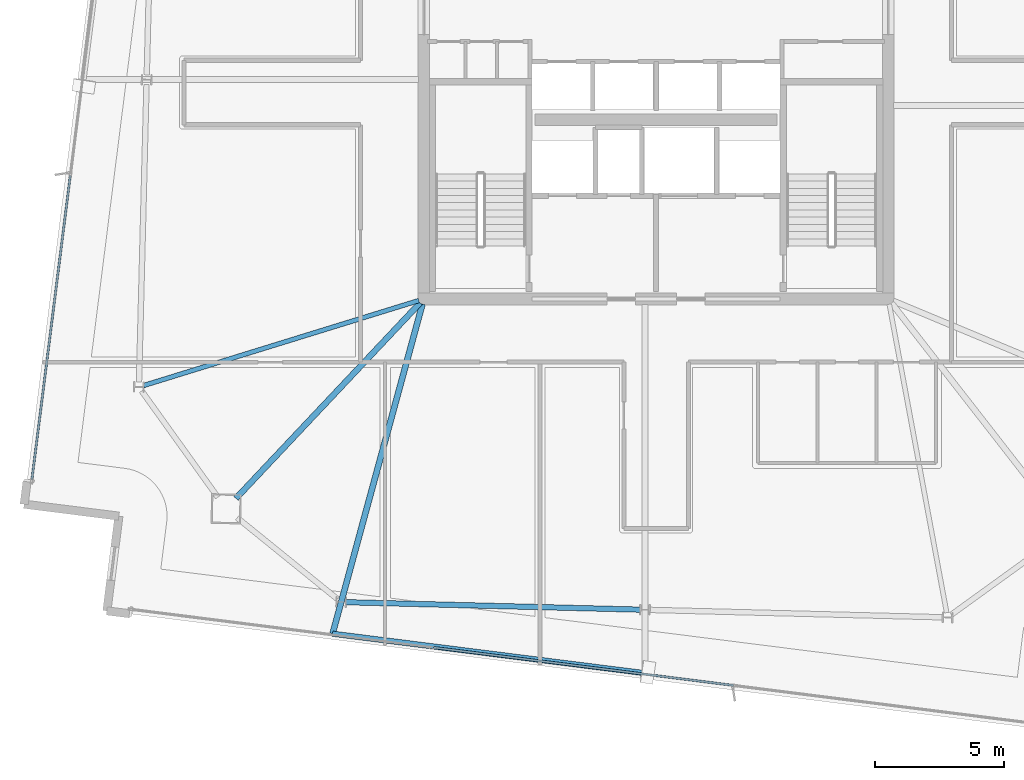
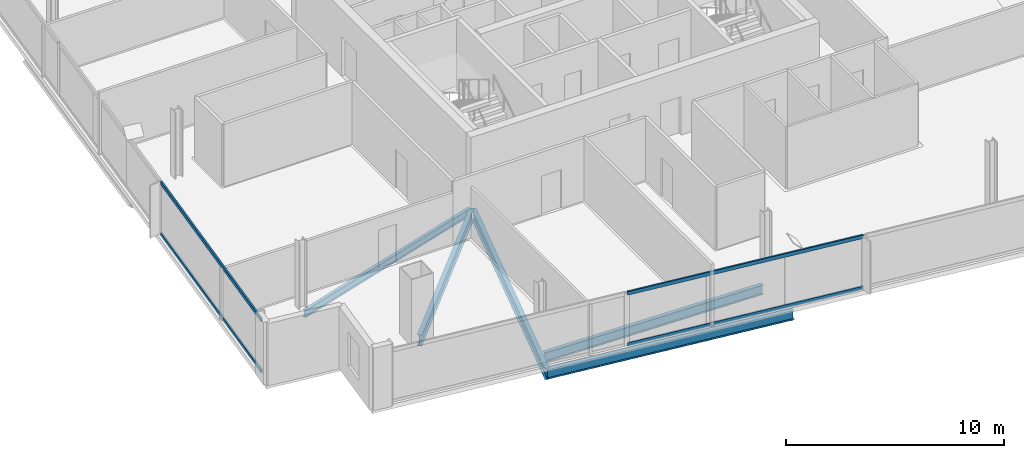
# One storey, part 3 of 23: 5 beams, 4 members, 2 elements without a shape of their own.
"""IFC4 building model written with IfcOpenShell, lengths in metres."""

from ifc_helpers import new_model, si_unit, direction, frame, origin, origin_2d, place, context, subcontext, project, spatial, hollow_rectangle, i_section, extrude, material, material_profile, profile_set, type_object, element, aggregate, save


model = new_model("IFC4")

# Units and contexts
model_context = context("Model", 3, precision=1e-05, world=origin(), true_north=direction((0.0, 1.0)))
body_context = subcontext(model_context, "Body", "Model", "MODEL_VIEW")
ifc_project = project(units=[si_unit("LENGTHUNIT", "METRE"), si_unit("AREAUNIT", "SQUARE_METRE"), si_unit("VOLUMEUNIT", "CUBIC_METRE"), si_unit("PLANEANGLEUNIT", "RADIAN"), si_unit("MASSUNIT", "GRAM", prefix="KILO")], contexts=[model_context])

# Site, building, storey
site_placement = place(None, origin())
site = spatial("IfcSite", under=ifc_project, at=site_placement, CompositionType="ELEMENT")
building_placement = place(site_placement, origin())
building = spatial("IfcBuilding", under=site, at=building_placement, Name="Haldenkirk Collegiate Tower", CompositionType="ELEMENT")
storey_placement = place(building_placement, frame((0.0, 0.0, 306.449951171875)))
storey = spatial("IfcBuildingStorey", under=building, at=storey_placement, Name="L77", CompositionType="ELEMENT", Elevation=306.449951171875)

# Beams
ifc_material_1 = material(Name="Steel ASTM A992 Grade 50", Category="steel")
ifc_material_profile_1 = material_profile(ifc_material_1, i_section(OverallWidth=0.22998046875, OverallDepth=0.616943359375, WebThickness=0.01318359375, FlangeThickness=0.022216796875, at=origin_2d()), Name="W24X94")
ifc_profile_set_1 = profile_set([ifc_material_profile_1], Name="Steel ASTM A992 Grade 50")
beam_type_1 = type_object("IfcBeamType", Name="BM-GIRDER-W24X94", PredefinedType="BEAM", material=ifc_profile_set_1)
beam_1_placement = place(storey_placement, frame((19.717041015625, 10.2705078125, -0.568359375), z_axis=(0.685767478835, 0.72782069562, 0.0), x_axis=(-0.72782069562, 0.685767478835, 0.0)))
element("IfcBeam", 1, at=beam_1_placement, inside=storey, type_object=beam_type_1, Name="L77 primary floor girder 04", PredefinedType="BEAM", context=body_context, shape_type="SweptSolid", body=[
    extrude(i_section(OverallWidth=0.22998046875, OverallDepth=0.616943359375, WebThickness=0.01318359375, FlangeThickness=0.022216796875, at=origin_2d()), origin(), (0.0, 0.0, 1.0), 10.4150390625),
])
beam_2_placement = place(storey_placement, frame((23.4619140625, 5.02587890625, -0.568359375), z_axis=(0.263094006723, 0.964770202497, 0.0), x_axis=(-0.964770202497, 0.263094006723, 0.0)))
element("IfcBeam", 2, at=beam_2_placement, inside=storey, type_object=beam_type_1, Name="L77 primary floor girder 14", PredefinedType="BEAM", context=body_context, shape_type="SweptSolid", body=[
    extrude(i_section(OverallWidth=0.22998046875, OverallDepth=0.616943359375, WebThickness=0.01318359375, FlangeThickness=0.022216796875, at=origin_2d()), origin(), (0.0, 0.0, 1.0), 13.242919921875),
])
ifc_material_profile_2 = material_profile(ifc_material_1, i_section(OverallWidth=0.177978515625, OverallDepth=0.406005859375, WebThickness=0.0078125, FlangeThickness=0.0126953125, at=origin_2d()), Name="W16X40")
ifc_profile_set_2 = profile_set([ifc_material_profile_2], Name="Steel ASTM A992 Grade 50")
beam_type_2 = type_object("IfcBeamType", Name="BM-JOIST-W16X40", PredefinedType="JOIST", material=ifc_profile_set_2)
beam_3_placement = place(storey_placement, frame((16.134521484375, 14.64306640625, -0.462890625), z_axis=(0.955440875215, 0.295182543467, 0.0), x_axis=(-0.295182543467, 0.955440875215, 0.0)))
element("IfcBeam", 3, at=beam_3_placement, inside=storey, type_object=beam_type_2, Name="L77 composite floor joist 13", PredefinedType="JOIST", context=body_context, shape_type="SweptSolid", body=[
    extrude(i_section(OverallWidth=0.177978515625, OverallDepth=0.406005859375, WebThickness=0.0078125, FlangeThickness=0.0126953125, at=origin_2d()), origin(), (0.0, 0.0, 1.0), 11.167236328125),
])
ifc_material_profile_3 = material_profile(ifc_material_1, i_section(OverallWidth=0.2099609375, OverallDepth=0.537109375, WebThickness=0.010986328125, FlangeThickness=0.017333984375, at=origin_2d()), Name="W21X68")
ifc_profile_set_3 = profile_set([ifc_material_profile_3], Name="Steel ASTM A992 Grade 50")
beam_type_3 = type_object("IfcBeamType", Name="BM-SPANDREL-W21X68", PredefinedType="SPANDREL", material=ifc_profile_set_3)
beam_4_placement = place(storey_placement, frame((23.984375, 6.247802734375, -0.528564453125), z_axis=(0.99967950041, -0.02531593293, 0.0), x_axis=(0.02531593293, 0.99967950041, 0.0)))
element("IfcBeam", 4, at=beam_4_placement, inside=storey, type_object=beam_type_3, Name="L77 perimeter spandrel beam 14", PredefinedType="SPANDREL", context=body_context, shape_type="SweptSolid", body=[
    extrude(i_section(OverallWidth=0.2099609375, OverallDepth=0.537109375, WebThickness=0.010986328125, FlangeThickness=0.017333984375, at=origin_2d()), origin(), (0.0, 0.0, 1.0), 11.39892578125),
])
beam_5_placement = place(storey_placement, frame((23.4619140625, 5.02587890625, -0.528564453125), z_axis=(0.99211480638, -0.125332401879, 0.0), x_axis=(0.125332401879, 0.99211480638, 0.0)))
element("IfcBeam", 5, at=beam_5_placement, inside=storey, type_object=beam_type_3, Name="L77 outer facade edge beam 4", PredefinedType="SPANDREL", context=body_context, shape_type="SweptSolid", body=[
    extrude(i_section(OverallWidth=0.2099609375, OverallDepth=0.537109375, WebThickness=0.010986328125, FlangeThickness=0.017333984375, at=origin_2d()), origin(), (0.0, 0.0, 1.0), 12.201904296875),
])

# Curtain wall, members
ifc_material_2 = material(Name="Anodised architectural bronze aluminium", Category="aluminium")
curtain_wall_type = type_object("IfcCurtainWallType", Name="CW-SYS1B-CONVEX-HI", PredefinedType="USERDEFINED", material=ifc_material_2)
curtain_wall_1_placement = place(storey_placement, origin())
curtain_wall_1 = element("IfcCurtainWall", 6, at=curtain_wall_1_placement, inside=storey, type_object=curtain_wall_type, Name="L77 Upper tower high-wind convex bronze unitised curtain wall", ObjectType="UNITISED CURTAIN WALL", PredefinedType="USERDEFINED")
ifc_material_profile_4 = material_profile(ifc_material_2, hollow_rectangle(XDim=0.0849609375, YDim=0.199951171875, WallThickness=0.0048828125, at=origin_2d()), Name="CW-TRN-1B")
ifc_profile_set_4 = profile_set([ifc_material_profile_4], Name="Anodised architectural bronze aluminium")
member_type = type_object("IfcMemberType", Name="CW-TRN-1B", PredefinedType="USERDEFINED", material=ifc_profile_set_4)
member_1_placement = place(storey_placement, frame((11.80908203125, 10.99853515625, 0.04248046875), z_axis=(0.125332959878, 0.992114735889, 0.0), x_axis=(-0.992114735889, 0.125332959878, 0.0)))
member_1 = element("IfcMember", 7, at=member_1_placement, type_object=member_type, Name="CW-1B transom 1.1", ObjectType="TRANSOM", PredefinedType="USERDEFINED", context=body_context, shape_type="SweptSolid", body=[
    extrude(hollow_rectangle(XDim=0.0849609375, YDim=0.199951171875, WallThickness=0.0048828125, at=origin_2d()), origin(), (0.0, 0.0, 1.0), 11.87255859375),
])
member_2_placement = place(storey_placement, frame((11.80908203125, 10.99853515625, 2.905517578125), z_axis=(0.125332959878, 0.992114735889, 0.0), x_axis=(-0.992114735889, 0.125332959878, 0.0)))
member_2 = element("IfcMember", 8, at=member_2_placement, type_object=member_type, Name="CW-1B transom 1.2", ObjectType="TRANSOM", PredefinedType="USERDEFINED", context=body_context, shape_type="SweptSolid", body=[
    extrude(hollow_rectangle(XDim=0.0849609375, YDim=0.199951171875, WallThickness=0.0048828125, at=origin_2d()), origin(), (0.0, 0.0, 1.0), 11.87255859375),
])
aggregate(curtain_wall_1, [member_1, member_2])

curtain_wall_2_placement = place(storey_placement, origin())
curtain_wall_2 = element("IfcCurtainWall", 9, at=curtain_wall_2_placement, inside=storey, type_object=curtain_wall_type, Name="L77 Upper tower high-wind convex bronze unitised curtain wall", ObjectType="UNITISED CURTAIN WALL", PredefinedType="USERDEFINED")
member_3_placement = place(storey_placement, frame((39.00146484375, 3.022705078125, 0.04248046875), z_axis=(-0.992115122966, 0.125329895804, 0.0), x_axis=(-0.125329895804, -0.992115122966, 0.0)))
member_3 = element("IfcMember", 10, at=member_3_placement, type_object=member_type, Name="CW-1B transom 2.1", ObjectType="TRANSOM", PredefinedType="USERDEFINED", context=body_context, shape_type="SweptSolid", body=[
    extrude(hollow_rectangle(XDim=0.0849609375, YDim=0.199951171875, WallThickness=0.0048828125, at=origin_2d()), origin(), (0.0, 0.0, 1.0), 11.715087890625),
])
member_4_placement = place(storey_placement, frame((39.00146484375, 3.022705078125, 2.905517578125), z_axis=(-0.992115122966, 0.125329895804, 0.0), x_axis=(-0.125329895804, -0.992115122966, 0.0)))
member_4 = element("IfcMember", 11, at=member_4_placement, type_object=member_type, Name="CW-1B transom 2.2", ObjectType="TRANSOM", PredefinedType="USERDEFINED", context=body_context, shape_type="SweptSolid", body=[
    extrude(hollow_rectangle(XDim=0.0849609375, YDim=0.199951171875, WallThickness=0.0048828125, at=origin_2d()), origin(), (0.0, 0.0, 1.0), 11.715087890625),
])
aggregate(curtain_wall_2, [member_3, member_4])

save(model, "model.ifc")
